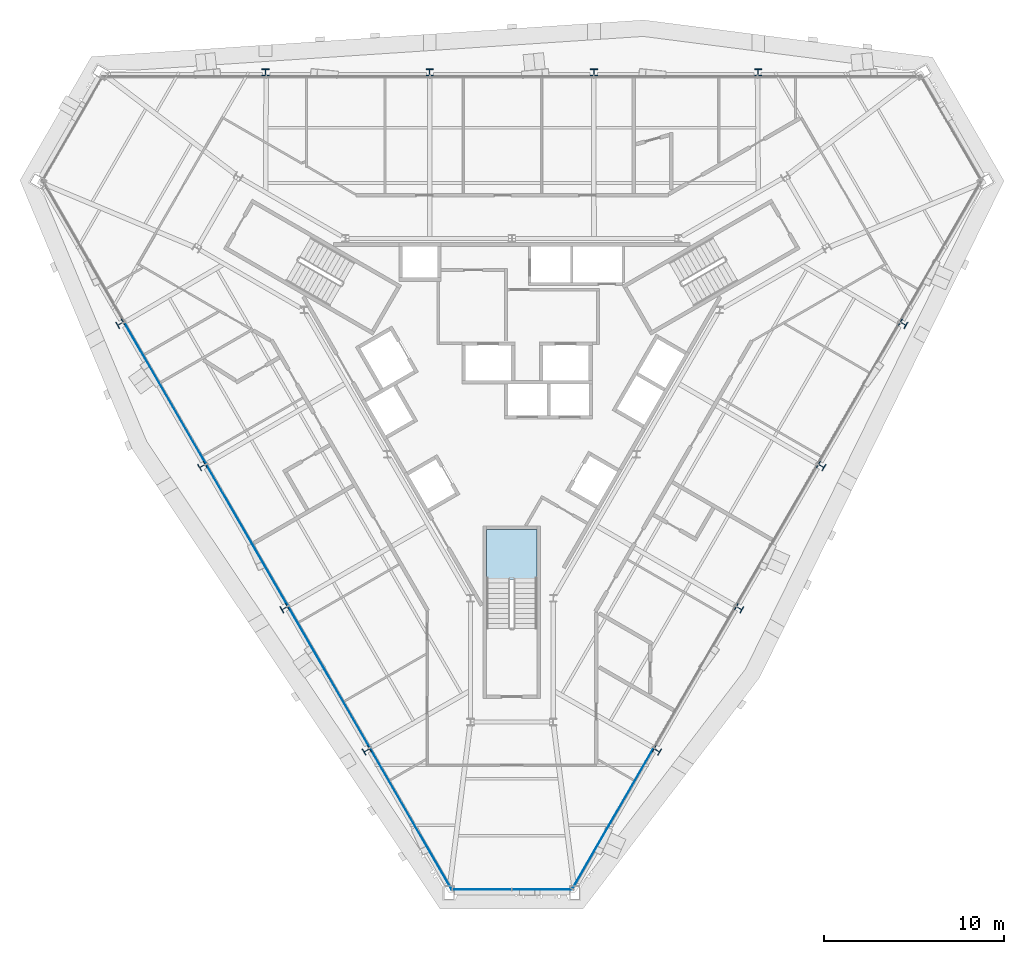
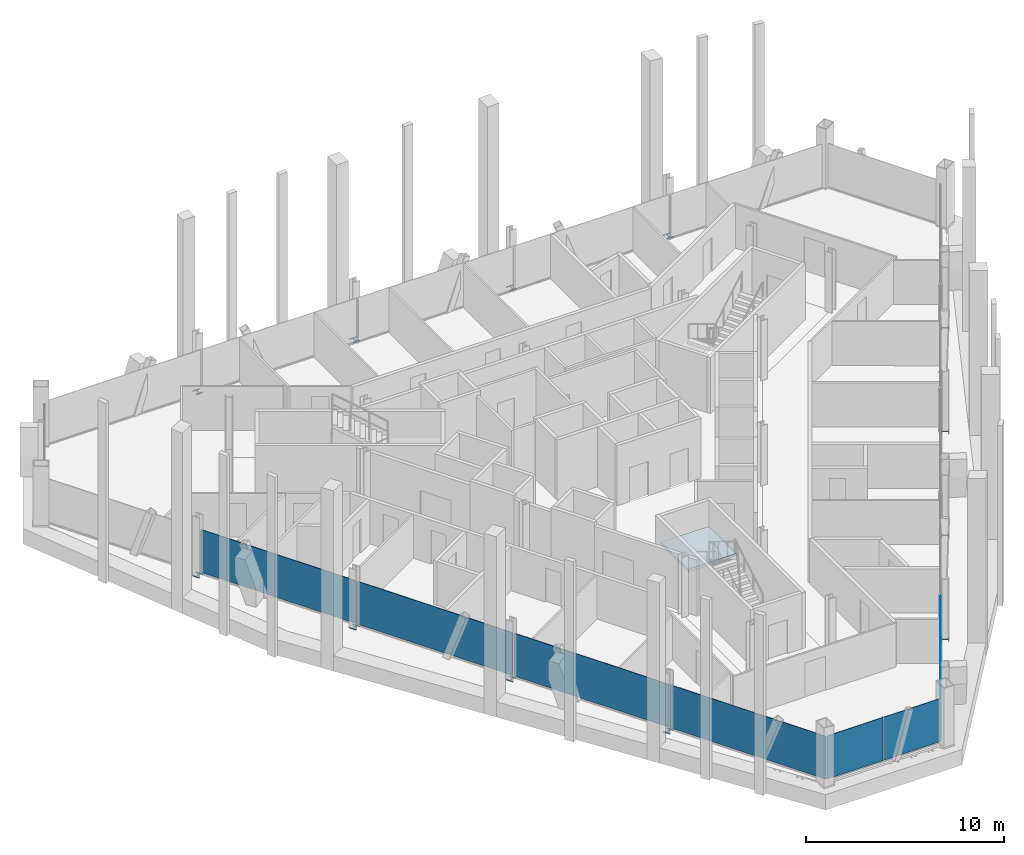
# One storey, part 9 of 16: 12 members, 7 plates, 1 slab, 4 elements without a shape of their own.
"""IFC4 building model written with IfcOpenShell, lengths in metres."""

from ifc_helpers import new_model, si_unit, direction, frame, origin, origin_2d, place, context, subcontext, project, spatial, polyline, rectangle, i_section, outline, extrude, material, layer, layer_set, material_profile, profile_set, type_object, element, aggregate, save


model = new_model("IFC4")

# Units and contexts
model_context = context("Model", 3, precision=1e-05, world=origin(), true_north=direction((0.0, 1.0)))
body_context = subcontext(model_context, "Body", "Model", "MODEL_VIEW")
ifc_project = project(units=[si_unit("LENGTHUNIT", "METRE"), si_unit("AREAUNIT", "SQUARE_METRE"), si_unit("VOLUMEUNIT", "CUBIC_METRE"), si_unit("PLANEANGLEUNIT", "RADIAN"), si_unit("MASSUNIT", "GRAM", prefix="KILO")], contexts=[model_context])

# Site, building, storey
site_placement = place(None, origin())
site = spatial("IfcSite", under=ifc_project, at=site_placement, CompositionType="ELEMENT")
building_placement = place(site_placement, origin())
building = spatial("IfcBuilding", under=site, at=building_placement, Name="Verrane Prism Tower", CompositionType="ELEMENT")
storey_placement = place(building_placement, frame((0.0, 0.0, 247.10009765625)))
storey = spatial("IfcBuildingStorey", under=building, at=storey_placement, Name="L62", CompositionType="ELEMENT", Elevation=247.10009765625)

# Members
ifc_material_1 = material(Name="Steel A992", Category="steel")
ifc_material_profile = material_profile(ifc_material_1, i_section(OverallWidth=0.398681640625, OverallDepth=0.385986328125, WebThickness=0.02099609375, FlangeThickness=0.033203125, FilletRadius=0.01513671875, at=origin_2d()), Name="W14x176")
ifc_profile_set = profile_set([ifc_material_profile], Name="Steel A992")
member_type = type_object("IfcMemberType", Name="Kink node W14x176", PredefinedType="COLLAR", material=ifc_profile_set)
for number, where, z_axis, x_axis, name in (
    (1, (13.698974609375, 17.226806640625, -0.03515625), (0.0, 0.0, 1.0), (1.0, 0.0, 0.0), "Kink node PC9 L62"),
    (2, (4.569580078125, 17.226806640625, -0.03515625), (0.0, 0.0, 1.0), (1.0, 0.0, 0.0), "Kink node PC9 L62"),
    (3, (-4.569580078125, 17.226806640625, -0.03515625), (0.0, 0.0, 1.0), (1.0, 0.0, 0.0), "Kink node PC9 L62"),
    (4, (-13.698974609375, 17.226806640625, -0.03515625), (0.0, 0.0, 1.0), (1.0, 0.0, 0.0), "Kink node PC9 L62"),
    (5, (8.06787109375, -20.477294921875, -0.03515625), (0.0, 0.0, 1.0), (-0.5, -0.866025403784, 0.0), "Kink node PC9 L62"),
    (6, (12.63720703125, -12.568115234375, -0.03515625), (0.0, 0.0, 1.0), (-0.5, -0.866025403784, 0.0), "Kink node PC9 L62"),
    (7, (17.206787109375, -4.65869140625, -0.03515625), (0.0, 0.0, 1.0), (-0.5, -0.866025403784, 0.0), "Kink node PC9 L62"),
    (8, (21.7666015625, 3.250732421875, -0.03515625), (0.0, 0.0, 1.0), (-0.5, -0.866025403784, 0.0), "Kink node PC9 L62"),
    (9, (-21.7666015625, 3.250732421875, -0.03515625), (0.0, 0.0, 1.0), (-0.5, 0.866025403784, 0.0), "Kink node PC9 L62"),
    (10, (-17.206787109375, -4.65869140625, -0.03515625), (0.0, 0.0, 1.0), (-0.5, 0.866025403784, 0.0), "Kink node PC9 L62"),
    (11, (-12.63720703125, -12.568115234375, -0.03515625), (0.0, 0.0, 1.0), (-0.5, 0.866025403784, 0.0), "Kink node PC9 L62"),
    (12, (-8.06787109375, -20.477294921875, -0.03515625), (0.0, 0.0, 1.0), (-0.5, 0.866025403784, 0.0), "Kink node PC9 L62"),
):
    element("IfcMember", number, at=place(storey_placement, frame(where, z_axis=z_axis, x_axis=x_axis)), inside=storey, type_object=member_type, Name=name, PredefinedType="COLLAR", context=body_context, shape_type="SweptSolid", body=[
        extrude(i_section(OverallWidth=0.398681640625, OverallDepth=0.385986328125, WebThickness=0.02099609375, FlangeThickness=0.033203125, FilletRadius=0.01513671875, at=origin_2d()), origin(), (0.0, 0.0, 1.0), 0.070068359375),
    ])

# Curtain wall, plates
ifc_material_2 = material(Name="Aluminium framed insulated glazing", Category="aluminium")
curtain_wall_type_1 = type_object("IfcCurtainWallType", Name="Curtain wall CW-C 4200 module", PredefinedType="NOTDEFINED", material=ifc_material_2)
curtain_wall_1_placement = place(storey_placement, origin())
curtain_wall_1 = element("IfcCurtainWall", 13, at=curtain_wall_1_placement, inside=storey, type_object=curtain_wall_type_1, Name="Glazed curtain wall south corner L62", PredefinedType="NOTDEFINED")
ifc_material_3 = material(Name="Low-iron insulating glass unit", Category="glass")
ifc_layer_1 = layer(ifc_material_3, 0.02392578125)
ifc_layer_set_1 = layer_set([ifc_layer_1], Name="Glazing panel IGU 24")
plate_type_1 = type_object("IfcPlateType", Name="Glazing panel IGU 24", PredefinedType="CURTAIN_PANEL", material=ifc_layer_set_1)
plate_1_placement = place(storey_placement, frame((-1.658447265625, -28.215087890625, 0.0498046875), z_axis=(0.0, 0.0, 1.0), x_axis=(1.0, 0.0, 0.0)))
plate_1 = element("IfcPlate", 14, at=plate_1_placement, type_object=plate_type_1, Name="CW62.5 panel 1", PredefinedType="CURTAIN_PANEL", context=body_context, shape_type="SweptSolid", body=[
    extrude(rectangle(XDim=3.266845703125, YDim=0.02392578125, at=origin_2d()), origin(), (0.0, 0.0, 1.0), 2.662841796875),
])
plate_2_placement = place(storey_placement, frame((1.683349609375, -28.215087890625, 0.0498046875), z_axis=(0.0, 0.0, 1.0), x_axis=(1.0, 0.0, 0.0)))
plate_2 = element("IfcPlate", 15, at=plate_2_placement, type_object=plate_type_1, Name="CW62.5 panel 2", PredefinedType="CURTAIN_PANEL", context=body_context, shape_type="SweptSolid", body=[
    extrude(rectangle(XDim=3.31689453125, YDim=0.02392578125, at=origin_2d()), origin(), (0.0, 0.0, 1.0), 2.662841796875),
])
aggregate(curtain_wall_1, [plate_1, plate_2])

ifc_material_4 = material(Name="Aluminium framed insulated glazing", Category="aluminium")
curtain_wall_type_2 = type_object("IfcCurtainWallType", Name="Curtain wall CW-A 8400 module", PredefinedType="NOTDEFINED", material=ifc_material_4)
curtain_wall_2_placement = place(storey_placement, origin())
curtain_wall_2 = element("IfcCurtainWall", 16, at=curtain_wall_2_placement, inside=storey, type_object=curtain_wall_type_2, Name="Glazed curtain wall south-west face L62", PredefinedType="NOTDEFINED")
ifc_material_5 = material(Name="Low-iron insulating glass unit", Category="glass")
ifc_layer_2 = layer(ifc_material_5, 0.031982421875)
ifc_layer_set_2 = layer_set([ifc_layer_2], Name="Glazing panel IGU 32")
plate_type_2 = type_object("IfcPlateType", Name="Glazing panel IGU 32", PredefinedType="CURTAIN_PANEL", material=ifc_layer_set_2)
plate_3_placement = place(storey_placement, frame((-19.27685546875, -0.615234375, 0.06982421875), z_axis=(0.0, 0.0, 1.0), x_axis=(0.499999788753, -0.866025525748, 0.0)))
plate_3 = element("IfcPlate", 17, at=plate_3_placement, type_object=plate_type_2, Name="CW62.4 panel 2", PredefinedType="CURTAIN_PANEL", context=body_context, shape_type="SweptSolid", body=[
    extrude(rectangle(XDim=9.03564453125, YDim=0.031982421875, at=origin_2d()), origin(), (0.0, 0.0, 1.0), 2.642822265625),
])
plate_4_placement = place(storey_placement, frame((-14.723876953125, -8.5009765625, 0.06982421875), z_axis=(0.0, 0.0, 1.0), x_axis=(0.499999788753, -0.866025525748, 0.0)))
plate_4 = element("IfcPlate", 18, at=plate_4_placement, type_object=plate_type_2, Name="CW62.4 panel 3", PredefinedType="CURTAIN_PANEL", context=body_context, shape_type="SweptSolid", body=[
    extrude(rectangle(XDim=9.03564453125, YDim=0.031982421875, at=origin_2d()), origin(), (0.0, 0.0, 1.0), 2.642822265625),
])
plate_5_placement = place(storey_placement, frame((-10.171142578125, -16.38671875, 0.06982421875), z_axis=(0.0, 0.0, 1.0), x_axis=(0.499999788753, -0.866025525748, 0.0)))
plate_5 = element("IfcPlate", 19, at=plate_5_placement, type_object=plate_type_2, Name="CW62.4 panel 4", PredefinedType="CURTAIN_PANEL", context=body_context, shape_type="SweptSolid", body=[
    extrude(rectangle(XDim=9.03564453125, YDim=0.031982421875, at=origin_2d()), origin(), (0.0, 0.0, 1.0), 2.642822265625),
])
plate_6_placement = place(storey_placement, frame((-5.609619140625, -24.28759765625, 0.06982421875), z_axis=(0.0, 0.0, 1.0), x_axis=(0.499999788753, -0.866025525748, 0.0)))
plate_6 = element("IfcPlate", 20, at=plate_6_placement, type_object=plate_type_2, Name="CW62.4 panel 5", PredefinedType="CURTAIN_PANEL", context=body_context, shape_type="SweptSolid", body=[
    extrude(rectangle(XDim=9.070556640625, YDim=0.031982421875, at=origin_2d()), origin(), (0.0, 0.0, 1.0), 2.642822265625),
])
aggregate(curtain_wall_2, [plate_3, plate_4, plate_5, plate_6])

# Curtain wall, plate
curtain_wall_3_placement = place(storey_placement, origin())
curtain_wall_3 = element("IfcCurtainWall", 21, at=curtain_wall_3_placement, inside=storey, type_object=curtain_wall_type_2, Name="Glazed curtain wall south-east face L62", PredefinedType="NOTDEFINED")
plate_7_placement = place(storey_placement, frame((5.626953125, -24.257080078125, 0.06982421875), z_axis=(0.0, 0.0, 1.0), x_axis=(0.499999788753, 0.866025525748, 0.0)))
plate_7 = element("IfcPlate", 22, at=plate_7_placement, type_object=plate_type_2, Name="CW62.6 panel 1", PredefinedType="CURTAIN_PANEL", context=body_context, shape_type="SweptSolid", body=[
    extrude(rectangle(XDim=9.000732421875, YDim=0.031982421875, at=origin_2d()), origin(), (0.0, 0.0, 1.0), 2.642822265625),
])
aggregate(curtain_wall_3, [plate_7])

# Stair, slab
ifc_material_6 = material(Name="Concrete C40/50", Category="concrete")
stair_type = type_object("IfcStairType", Name="Exit stair 1300 dog-leg precast concrete C40/50", PredefinedType="HALF_TURN_STAIR", material=ifc_material_6)
stair_placement = place(storey_placement, origin())
stair = element("IfcStair", 23, at=stair_placement, inside=storey, type_object=stair_type, Name="Stair 3 L62", PredefinedType="HALF_TURN_STAIR")
ifc_material_7 = material(Name="Concrete C40/50", Category="concrete")
ifc_layer_3 = layer(ifc_material_7, 0.199951171875)
ifc_layer_set_3 = layer_set([ifc_layer_3], Name="Stair landing 200 precast concrete C40/50")
slab_type = type_object("IfcSlabType", Name="Stair landing 200 precast concrete C40/50", PredefinedType="LANDING", material=ifc_layer_set_3)
slab_placement = place(storey_placement, frame((0.0, 0.0, 1.64990234375)))
slab = element("IfcSlab", 24, at=slab_placement, type_object=slab_type, Name="Stair 3 landing 1", PredefinedType="LANDING", context=body_context, shape_type="SweptSolid", body=[
    extrude(outline(polyline([(1.39990234375, -10.9599609375), (1.39990234375, -8.199951171875), (-1.39990234375, -8.199951171875), (-1.39990234375, -10.9599609375), (1.39990234375, -10.9599609375)])), origin(), (0.0, 0.0, 1.0), 0.199951171875),
])
aggregate(stair, [slab])

save(model, "model.ifc")
